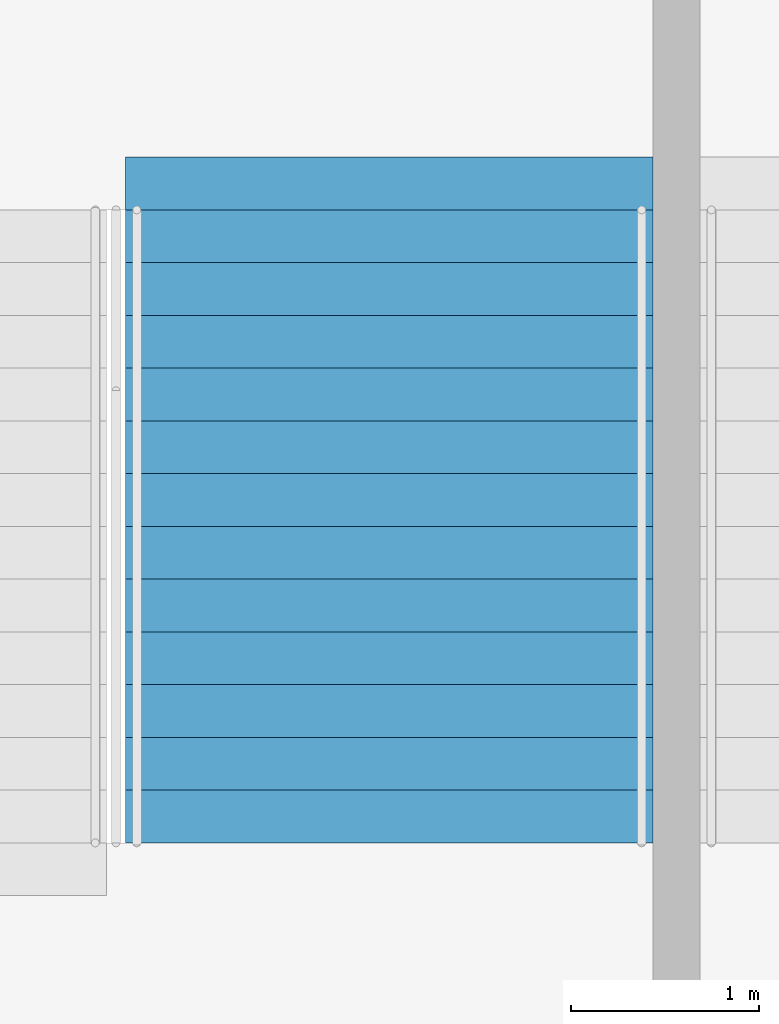
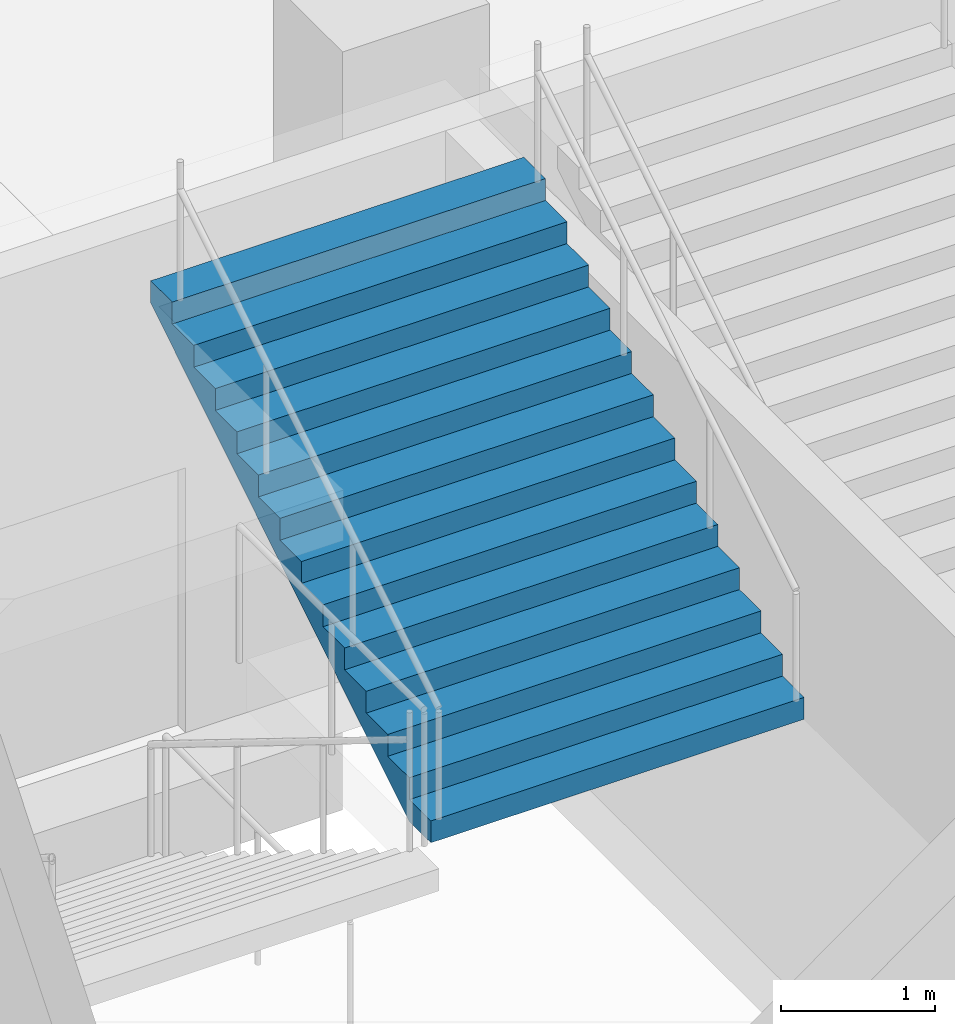
# One storey, part 122 of 199: 1 stair flight, 1 element without a shape of its own.
"""IFC4 building model written with IfcOpenShell, lengths in metres."""

from ifc_helpers import new_model, si_unit, direction, frame, origin, place, context, subcontext, project, spatial, faceted_brep, material, type_object, element, aggregate, save


model = new_model("IFC4")

# Units and contexts
model_context = context("Model", 3, precision=1e-05, world=origin(), true_north=direction((0.0, 1.0)))
body_context = subcontext(model_context, "Body", "Model", "MODEL_VIEW")
ifc_project = project(units=[si_unit("LENGTHUNIT", "METRE"), si_unit("AREAUNIT", "SQUARE_METRE"), si_unit("VOLUMEUNIT", "CUBIC_METRE"), si_unit("PLANEANGLEUNIT", "RADIAN"), si_unit("MASSUNIT", "GRAM", prefix="KILO")], contexts=[model_context])

# Site, building, storey
site_placement = place(None, origin())
site = spatial("IfcSite", under=ifc_project, at=site_placement, CompositionType="ELEMENT")
building_placement = place(site_placement, origin())
building = spatial("IfcBuilding", under=site, at=building_placement, Name="Ogive Plaza Stadium", CompositionType="ELEMENT")
storey_placement = place(building_placement, frame((0.0, 0.0, 9.0)))
storey = spatial("IfcBuildingStorey", under=building, at=storey_placement, Name="L02", CompositionType="ELEMENT", Elevation=9.0)

# Stair, stair flight
ifc_material_1 = material(Name="Concrete C40/50", Category="concrete")
stair_type = type_object("IfcStairType", Name="Exit stair", PredefinedType="STRAIGHT_RUN_STAIR", material=ifc_material_1)
stair_placement = place(storey_placement, origin())
stair = element("IfcStair", 1, at=stair_placement, inside=storey, type_object=stair_type, Name="Exit stair ST12A L02 to L03", PredefinedType="STRAIGHT_RUN_STAIR")
ifc_material_2 = material(Name="Concrete C40/50", Category="concrete")
stair_flight_type = type_object("IfcStairFlightType", Name="Exit stair flight", PredefinedType="STRAIGHT", material=ifc_material_2)
stair_flight_placement = place(storey_placement, frame((32.47509765625, -98.2099609375, 2.25), z_axis=(0.0, 0.0, 1.0), x_axis=(0.0, 1.0, 0.0)))
stair_flight = element("IfcStairFlight", 2, at=stair_flight_placement, type_object=stair_flight_type, Name="ST12A flight 2", NumberOfRisers=13, NumberOfTreads=12, PredefinedType="STRAIGHT", RiserHeight=0.173076923, TreadLength=0.28, context=body_context, shape_type="Brep", body=[
    faceted_brep([(0.28515625, -1.39990234375, 0.0), (3.639892578125, -1.39990234375, 2.07373046875), (3.639892578125, -1.39990234375, 2.25), (3.360107421875, -1.39990234375, 2.25), (3.360107421875, -1.39990234375, 2.076904296875), (3.080078125, -1.39990234375, 2.076904296875), (3.080078125, -1.39990234375, 1.90380859375), (2.800048828125, -1.39990234375, 1.90380859375), (2.800048828125, -1.39990234375, 1.730712890625), (2.52001953125, -1.39990234375, 1.730712890625), (2.52001953125, -1.39990234375, 1.5576171875), (2.239990234375, -1.39990234375, 1.5576171875), (2.239990234375, -1.39990234375, 1.384521484375), (1.9599609375, -1.39990234375, 1.384521484375), (1.9599609375, -1.39990234375, 1.21142578125), (1.679931640625, -1.39990234375, 1.21142578125), (1.679931640625, -1.39990234375, 1.03857421875), (1.39990234375, -1.39990234375, 1.03857421875), (1.39990234375, -1.39990234375, 0.865478515625), (1.1201171875, -1.39990234375, 0.865478515625), (1.1201171875, -1.39990234375, 0.6923828125), (0.840087890625, -1.39990234375, 0.6923828125), (0.840087890625, -1.39990234375, 0.519287109375), (0.56005859375, -1.39990234375, 0.519287109375), (0.56005859375, -1.39990234375, 0.34619140625), (0.280029296875, -1.39990234375, 0.34619140625), (0.280029296875, -1.39990234375, 0.173095703125), (0.0, -1.39990234375, 0.173095703125), (0.0, -1.39990234375, 0.0), (0.0, 1.39990234375, 0.0), (0.0, 1.39990234375, 0.173095703125), (0.280029296875, 1.39990234375, 0.173095703125), (0.280029296875, 1.39990234375, 0.34619140625), (0.56005859375, 1.39990234375, 0.34619140625), (0.56005859375, 1.39990234375, 0.519287109375), (0.840087890625, 1.39990234375, 0.519287109375), (0.840087890625, 1.39990234375, 0.6923828125), (1.1201171875, 1.39990234375, 0.6923828125), (1.1201171875, 1.39990234375, 0.865478515625), (1.39990234375, 1.39990234375, 0.865478515625), (1.39990234375, 1.39990234375, 1.03857421875), (1.679931640625, 1.39990234375, 1.03857421875), (1.679931640625, 1.39990234375, 1.21142578125), (1.9599609375, 1.39990234375, 1.21142578125), (1.9599609375, 1.39990234375, 1.384521484375), (2.239990234375, 1.39990234375, 1.384521484375), (2.239990234375, 1.39990234375, 1.5576171875), (2.52001953125, 1.39990234375, 1.5576171875), (2.52001953125, 1.39990234375, 1.730712890625), (2.800048828125, 1.39990234375, 1.730712890625), (2.800048828125, 1.39990234375, 1.90380859375), (3.080078125, 1.39990234375, 1.90380859375), (3.080078125, 1.39990234375, 2.076904296875), (3.360107421875, 1.39990234375, 2.076904296875), (3.360107421875, 1.39990234375, 2.25), (3.639892578125, 1.39990234375, 2.25), (3.639892578125, 1.39990234375, 2.07373046875), (0.28515625, 1.39990234375, 0.0), (0.28515625, -1.0888671875, 0.0), (3.639892578125, -1.0888671875, 2.07373046875), (0.28515625, -0.77783203125, 0.0), (3.639892578125, -0.77783203125, 2.07373046875), (0.28515625, -0.466796875, 0.0), (3.639892578125, -0.466796875, 2.07373046875), (0.28515625, -0.155517578125, 0.0), (3.639892578125, -0.155517578125, 2.07373046875), (0.28515625, 0.155517578125, 0.0), (3.639892578125, 0.155517578125, 2.07373046875), (0.28515625, 0.466796875, 0.0), (3.639892578125, 0.466796875, 2.07373046875), (0.28515625, 0.77783203125, 0.0), (3.639892578125, 0.77783203125, 2.07373046875), (0.28515625, 1.0888671875, 0.0), (3.639892578125, 1.0888671875, 2.07373046875), (3.639892578125, -1.0888671875, 2.25), (3.639892578125, -0.77783203125, 2.25), (3.639892578125, -0.466796875, 2.25), (3.639892578125, -0.155517578125, 2.25), (3.639892578125, 0.155517578125, 2.25), (3.639892578125, 0.466796875, 2.25), (3.639892578125, 0.77783203125, 2.25), (3.639892578125, 1.0888671875, 2.25), (3.360107421875, -1.0888671875, 2.25), (3.360107421875, -0.77783203125, 2.25), (3.360107421875, -0.466796875, 2.25), (3.360107421875, -0.155517578125, 2.25), (3.360107421875, 0.155517578125, 2.25), (3.360107421875, 0.466796875, 2.25), (3.360107421875, 0.77783203125, 2.25), (3.360107421875, 1.0888671875, 2.25), (3.360107421875, -1.0888671875, 2.076904296875), (3.360107421875, -0.77783203125, 2.076904296875), (3.360107421875, -0.466796875, 2.076904296875), (3.360107421875, -0.155517578125, 2.076904296875), (3.360107421875, 0.155517578125, 2.076904296875), (3.360107421875, 0.466796875, 2.076904296875), (3.360107421875, 0.77783203125, 2.076904296875), (3.360107421875, 1.0888671875, 2.076904296875), (3.080078125, -1.0888671875, 2.076904296875), (3.080078125, -0.77783203125, 2.076904296875), (3.080078125, -0.466796875, 2.076904296875), (3.080078125, -0.155517578125, 2.076904296875), (3.080078125, 0.155517578125, 2.076904296875), (3.080078125, 0.466796875, 2.076904296875), (3.080078125, 0.77783203125, 2.076904296875), (3.080078125, 1.0888671875, 2.076904296875), (3.080078125, -1.0888671875, 1.90380859375), (3.080078125, -0.77783203125, 1.90380859375), (3.080078125, -0.466796875, 1.90380859375), (3.080078125, -0.155517578125, 1.90380859375), (3.080078125, 0.155517578125, 1.90380859375), (3.080078125, 0.466796875, 1.90380859375), (3.080078125, 0.77783203125, 1.90380859375), (3.080078125, 1.0888671875, 1.90380859375), (2.800048828125, -1.0888671875, 1.90380859375), (2.800048828125, -0.77783203125, 1.90380859375), (2.800048828125, -0.466796875, 1.90380859375), (2.800048828125, -0.155517578125, 1.90380859375), (2.800048828125, 0.155517578125, 1.90380859375), (2.800048828125, 0.466796875, 1.90380859375), (2.800048828125, 0.77783203125, 1.90380859375), (2.800048828125, 1.0888671875, 1.90380859375), (2.800048828125, -1.0888671875, 1.730712890625), (2.800048828125, -0.77783203125, 1.730712890625), (2.800048828125, -0.466796875, 1.730712890625), (2.800048828125, -0.155517578125, 1.730712890625), (2.800048828125, 0.155517578125, 1.730712890625), (2.800048828125, 0.466796875, 1.730712890625), (2.800048828125, 0.77783203125, 1.730712890625), (2.800048828125, 1.0888671875, 1.730712890625), (2.52001953125, -1.0888671875, 1.730712890625), (2.52001953125, -0.77783203125, 1.730712890625), (2.52001953125, -0.466796875, 1.730712890625), (2.52001953125, -0.155517578125, 1.730712890625), (2.52001953125, 0.155517578125, 1.730712890625), (2.52001953125, 0.466796875, 1.730712890625), (2.52001953125, 0.77783203125, 1.730712890625), (2.52001953125, 1.0888671875, 1.730712890625), (2.52001953125, -1.0888671875, 1.5576171875), (2.52001953125, -0.77783203125, 1.5576171875), (2.52001953125, -0.466796875, 1.5576171875), (2.52001953125, -0.155517578125, 1.5576171875), (2.52001953125, 0.155517578125, 1.5576171875), (2.52001953125, 0.466796875, 1.5576171875), (2.52001953125, 0.77783203125, 1.5576171875), (2.52001953125, 1.0888671875, 1.5576171875), (2.239990234375, -1.0888671875, 1.5576171875), (2.239990234375, -0.77783203125, 1.5576171875), (2.239990234375, -0.466796875, 1.5576171875), (2.239990234375, -0.155517578125, 1.5576171875), (2.239990234375, 0.155517578125, 1.5576171875), (2.239990234375, 0.466796875, 1.5576171875), (2.239990234375, 0.77783203125, 1.5576171875), (2.239990234375, 1.0888671875, 1.5576171875), (2.239990234375, -1.0888671875, 1.384521484375), (2.239990234375, -0.77783203125, 1.384521484375), (2.239990234375, -0.466796875, 1.384521484375), (2.239990234375, -0.155517578125, 1.384521484375), (2.239990234375, 0.155517578125, 1.384521484375), (2.239990234375, 0.466796875, 1.384521484375), (2.239990234375, 0.77783203125, 1.384521484375), (2.239990234375, 1.0888671875, 1.384521484375), (1.9599609375, -1.0888671875, 1.384521484375), (1.9599609375, -0.77783203125, 1.384521484375), (1.9599609375, -0.466796875, 1.384521484375), (1.9599609375, -0.155517578125, 1.384521484375), (1.9599609375, 0.155517578125, 1.384521484375), (1.9599609375, 0.466796875, 1.384521484375), (1.9599609375, 0.77783203125, 1.384521484375), (1.9599609375, 1.0888671875, 1.384521484375), (1.9599609375, -1.0888671875, 1.21142578125), (1.9599609375, -0.77783203125, 1.21142578125), (1.9599609375, -0.466796875, 1.21142578125), (1.9599609375, -0.155517578125, 1.21142578125), (1.9599609375, 0.155517578125, 1.21142578125), (1.9599609375, 0.466796875, 1.21142578125), (1.9599609375, 0.77783203125, 1.21142578125), (1.9599609375, 1.0888671875, 1.21142578125), (1.679931640625, -1.0888671875, 1.21142578125), (1.679931640625, -0.77783203125, 1.21142578125), (1.679931640625, -0.466796875, 1.21142578125), (1.679931640625, -0.155517578125, 1.21142578125), (1.679931640625, 0.155517578125, 1.21142578125), (1.679931640625, 0.466796875, 1.21142578125), (1.679931640625, 0.77783203125, 1.21142578125), (1.679931640625, 1.0888671875, 1.21142578125), (1.679931640625, -1.0888671875, 1.03857421875), (1.679931640625, -0.77783203125, 1.03857421875), (1.679931640625, -0.466796875, 1.03857421875), (1.679931640625, -0.155517578125, 1.03857421875), (1.679931640625, 0.155517578125, 1.03857421875), (1.679931640625, 0.466796875, 1.03857421875), (1.679931640625, 0.77783203125, 1.03857421875), (1.679931640625, 1.0888671875, 1.03857421875), (1.39990234375, -1.0888671875, 1.03857421875), (1.39990234375, -0.77783203125, 1.03857421875), (1.39990234375, -0.466796875, 1.03857421875), (1.39990234375, -0.155517578125, 1.03857421875), (1.39990234375, 0.155517578125, 1.03857421875), (1.39990234375, 0.466796875, 1.03857421875), (1.39990234375, 0.77783203125, 1.03857421875), (1.39990234375, 1.0888671875, 1.03857421875), (1.39990234375, -1.0888671875, 0.865478515625), (1.39990234375, -0.77783203125, 0.865478515625), (1.39990234375, -0.466796875, 0.865478515625), (1.39990234375, -0.155517578125, 0.865478515625), (1.39990234375, 0.155517578125, 0.865478515625), (1.39990234375, 0.466796875, 0.865478515625), (1.39990234375, 0.77783203125, 0.865478515625), (1.39990234375, 1.0888671875, 0.865478515625), (1.1201171875, -1.0888671875, 0.865478515625), (1.1201171875, -0.77783203125, 0.865478515625), (1.1201171875, -0.466796875, 0.865478515625), (1.1201171875, -0.155517578125, 0.865478515625), (1.1201171875, 0.155517578125, 0.865478515625), (1.1201171875, 0.466796875, 0.865478515625), (1.1201171875, 0.77783203125, 0.865478515625), (1.1201171875, 1.0888671875, 0.865478515625), (1.1201171875, -1.0888671875, 0.6923828125), (1.1201171875, -0.77783203125, 0.6923828125), (1.1201171875, -0.466796875, 0.6923828125), (1.1201171875, -0.155517578125, 0.6923828125), (1.1201171875, 0.155517578125, 0.6923828125), (1.1201171875, 0.466796875, 0.6923828125), (1.1201171875, 0.77783203125, 0.6923828125), (1.1201171875, 1.0888671875, 0.6923828125), (0.840087890625, -1.0888671875, 0.6923828125), (0.840087890625, -0.77783203125, 0.6923828125), (0.840087890625, -0.466796875, 0.6923828125), (0.840087890625, -0.155517578125, 0.6923828125), (0.840087890625, 0.155517578125, 0.6923828125), (0.840087890625, 0.466796875, 0.6923828125), (0.840087890625, 0.77783203125, 0.6923828125), (0.840087890625, 1.0888671875, 0.6923828125), (0.840087890625, -1.0888671875, 0.519287109375), (0.840087890625, -0.77783203125, 0.519287109375), (0.840087890625, -0.466796875, 0.519287109375), (0.840087890625, -0.155517578125, 0.519287109375), (0.840087890625, 0.155517578125, 0.519287109375), (0.840087890625, 0.466796875, 0.519287109375), (0.840087890625, 0.77783203125, 0.519287109375), (0.840087890625, 1.0888671875, 0.519287109375), (0.56005859375, -1.0888671875, 0.519287109375), (0.56005859375, -0.77783203125, 0.519287109375), (0.56005859375, -0.466796875, 0.519287109375), (0.56005859375, -0.155517578125, 0.519287109375), (0.56005859375, 0.155517578125, 0.519287109375), (0.56005859375, 0.466796875, 0.519287109375), (0.56005859375, 0.77783203125, 0.519287109375), (0.56005859375, 1.0888671875, 0.519287109375), (0.56005859375, -1.0888671875, 0.34619140625), (0.56005859375, -0.77783203125, 0.34619140625), (0.56005859375, -0.466796875, 0.34619140625), (0.56005859375, -0.155517578125, 0.34619140625), (0.56005859375, 0.155517578125, 0.34619140625), (0.56005859375, 0.466796875, 0.34619140625), (0.56005859375, 0.77783203125, 0.34619140625), (0.56005859375, 1.0888671875, 0.34619140625), (0.280029296875, -1.0888671875, 0.34619140625), (0.280029296875, -0.77783203125, 0.34619140625), (0.280029296875, -0.466796875, 0.34619140625), (0.280029296875, -0.155517578125, 0.34619140625), (0.280029296875, 0.155517578125, 0.34619140625), (0.280029296875, 0.466796875, 0.34619140625), (0.280029296875, 0.77783203125, 0.34619140625), (0.280029296875, 1.0888671875, 0.34619140625), (0.280029296875, -1.0888671875, 0.173095703125), (0.280029296875, -0.77783203125, 0.173095703125), (0.280029296875, -0.466796875, 0.173095703125), (0.280029296875, -0.155517578125, 0.173095703125), (0.280029296875, 0.155517578125, 0.173095703125), (0.280029296875, 0.466796875, 0.173095703125), (0.280029296875, 0.77783203125, 0.173095703125), (0.280029296875, 1.0888671875, 0.173095703125), (0.0, -1.0888671875, 0.173095703125), (0.0, -0.77783203125, 0.173095703125), (0.0, -0.466796875, 0.173095703125), (0.0, -0.155517578125, 0.173095703125), (0.0, 0.155517578125, 0.173095703125), (0.0, 0.466796875, 0.173095703125), (0.0, 0.77783203125, 0.173095703125), (0.0, 1.0888671875, 0.173095703125), (0.0, -1.0888671875, 0.0), (0.0, -0.77783203125, 0.0), (0.0, -0.466796875, 0.0), (0.0, -0.155517578125, 0.0), (0.0, 0.155517578125, 0.0), (0.0, 0.466796875, 0.0), (0.0, 0.77783203125, 0.0), (0.0, 1.0888671875, 0.0)], [[[0, 1, 2, 3, 4, 5, 6, 7, 8, 9, 10, 11, 12, 13, 14, 15, 16, 17, 18, 19, 20, 21, 22, 23, 24, 25, 26, 27, 28]], [[29, 30, 31, 32, 33, 34, 35, 36, 37, 38, 39, 40, 41, 42, 43, 44, 45, 46, 47, 48, 49, 50, 51, 52, 53, 54, 55, 56, 57]], [[0, 58, 59, 1]], [[58, 60, 61, 59]], [[60, 62, 63, 61]], [[62, 64, 65, 63]], [[64, 66, 67, 65]], [[66, 68, 69, 67]], [[68, 70, 71, 69]], [[70, 72, 73, 71]], [[72, 57, 56, 73]], [[1, 59, 74, 2]], [[59, 61, 75, 74]], [[61, 63, 76, 75]], [[63, 65, 77, 76]], [[65, 67, 78, 77]], [[67, 69, 79, 78]], [[69, 71, 80, 79]], [[71, 73, 81, 80]], [[73, 56, 55, 81]], [[2, 74, 82, 3]], [[74, 75, 83, 82]], [[75, 76, 84, 83]], [[76, 77, 85, 84]], [[77, 78, 86, 85]], [[78, 79, 87, 86]], [[79, 80, 88, 87]], [[80, 81, 89, 88]], [[81, 55, 54, 89]], [[3, 82, 90, 4]], [[82, 83, 91, 90]], [[83, 84, 92, 91]], [[84, 85, 93, 92]], [[85, 86, 94, 93]], [[86, 87, 95, 94]], [[87, 88, 96, 95]], [[88, 89, 97, 96]], [[89, 54, 53, 97]], [[4, 90, 98, 5]], [[90, 91, 99, 98]], [[91, 92, 100, 99]], [[92, 93, 101, 100]], [[93, 94, 102, 101]], [[94, 95, 103, 102]], [[95, 96, 104, 103]], [[96, 97, 105, 104]], [[97, 53, 52, 105]], [[5, 98, 106, 6]], [[98, 99, 107, 106]], [[99, 100, 108, 107]], [[100, 101, 109, 108]], [[101, 102, 110, 109]], [[102, 103, 111, 110]], [[103, 104, 112, 111]], [[104, 105, 113, 112]], [[105, 52, 51, 113]], [[6, 106, 114, 7]], [[106, 107, 115, 114]], [[107, 108, 116, 115]], [[108, 109, 117, 116]], [[109, 110, 118, 117]], [[110, 111, 119, 118]], [[111, 112, 120, 119]], [[112, 113, 121, 120]], [[113, 51, 50, 121]], [[7, 114, 122, 8]], [[114, 115, 123, 122]], [[115, 116, 124, 123]], [[116, 117, 125, 124]], [[117, 118, 126, 125]], [[118, 119, 127, 126]], [[119, 120, 128, 127]], [[120, 121, 129, 128]], [[121, 50, 49, 129]], [[8, 122, 130, 9]], [[122, 123, 131, 130]], [[123, 124, 132, 131]], [[124, 125, 133, 132]], [[125, 126, 134, 133]], [[126, 127, 135, 134]], [[127, 128, 136, 135]], [[128, 129, 137, 136]], [[129, 49, 48, 137]], [[9, 130, 138, 10]], [[130, 131, 139, 138]], [[131, 132, 140, 139]], [[132, 133, 141, 140]], [[133, 134, 142, 141]], [[134, 135, 143, 142]], [[135, 136, 144, 143]], [[136, 137, 145, 144]], [[137, 48, 47, 145]], [[10, 138, 146, 11]], [[138, 139, 147, 146]], [[139, 140, 148, 147]], [[140, 141, 149, 148]], [[141, 142, 150, 149]], [[142, 143, 151, 150]], [[143, 144, 152, 151]], [[144, 145, 153, 152]], [[145, 47, 46, 153]], [[11, 146, 154, 12]], [[146, 147, 155, 154]], [[147, 148, 156, 155]], [[148, 149, 157, 156]], [[149, 150, 158, 157]], [[150, 151, 159, 158]], [[151, 152, 160, 159]], [[152, 153, 161, 160]], [[153, 46, 45, 161]], [[12, 154, 162, 13]], [[154, 155, 163, 162]], [[155, 156, 164, 163]], [[156, 157, 165, 164]], [[157, 158, 166, 165]], [[158, 159, 167, 166]], [[159, 160, 168, 167]], [[160, 161, 169, 168]], [[161, 45, 44, 169]], [[13, 162, 170, 14]], [[162, 163, 171, 170]], [[163, 164, 172, 171]], [[164, 165, 173, 172]], [[165, 166, 174, 173]], [[166, 167, 175, 174]], [[167, 168, 176, 175]], [[168, 169, 177, 176]], [[169, 44, 43, 177]], [[14, 170, 178, 15]], [[170, 171, 179, 178]], [[171, 172, 180, 179]], [[172, 173, 181, 180]], [[173, 174, 182, 181]], [[174, 175, 183, 182]], [[175, 176, 184, 183]], [[176, 177, 185, 184]], [[177, 43, 42, 185]], [[15, 178, 186, 16]], [[178, 179, 187, 186]], [[179, 180, 188, 187]], [[180, 181, 189, 188]], [[181, 182, 190, 189]], [[182, 183, 191, 190]], [[183, 184, 192, 191]], [[184, 185, 193, 192]], [[185, 42, 41, 193]], [[16, 186, 194, 17]], [[186, 187, 195, 194]], [[187, 188, 196, 195]], [[188, 189, 197, 196]], [[189, 190, 198, 197]], [[190, 191, 199, 198]], [[191, 192, 200, 199]], [[192, 193, 201, 200]], [[193, 41, 40, 201]], [[17, 194, 202, 18]], [[194, 195, 203, 202]], [[195, 196, 204, 203]], [[196, 197, 205, 204]], [[197, 198, 206, 205]], [[198, 199, 207, 206]], [[199, 200, 208, 207]], [[200, 201, 209, 208]], [[201, 40, 39, 209]], [[18, 202, 210, 19]], [[202, 203, 211, 210]], [[203, 204, 212, 211]], [[204, 205, 213, 212]], [[205, 206, 214, 213]], [[206, 207, 215, 214]], [[207, 208, 216, 215]], [[208, 209, 217, 216]], [[209, 39, 38, 217]], [[19, 210, 218, 20]], [[210, 211, 219, 218]], [[211, 212, 220, 219]], [[212, 213, 221, 220]], [[213, 214, 222, 221]], [[214, 215, 223, 222]], [[215, 216, 224, 223]], [[216, 217, 225, 224]], [[217, 38, 37, 225]], [[20, 218, 226, 21]], [[218, 219, 227, 226]], [[219, 220, 228, 227]], [[220, 221, 229, 228]], [[221, 222, 230, 229]], [[222, 223, 231, 230]], [[223, 224, 232, 231]], [[224, 225, 233, 232]], [[225, 37, 36, 233]], [[21, 226, 234, 22]], [[226, 227, 235, 234]], [[227, 228, 236, 235]], [[228, 229, 237, 236]], [[229, 230, 238, 237]], [[230, 231, 239, 238]], [[231, 232, 240, 239]], [[232, 233, 241, 240]], [[233, 36, 35, 241]], [[22, 234, 242, 23]], [[234, 235, 243, 242]], [[235, 236, 244, 243]], [[236, 237, 245, 244]], [[237, 238, 246, 245]], [[238, 239, 247, 246]], [[239, 240, 248, 247]], [[240, 241, 249, 248]], [[241, 35, 34, 249]], [[23, 242, 250, 24]], [[242, 243, 251, 250]], [[243, 244, 252, 251]], [[244, 245, 253, 252]], [[245, 246, 254, 253]], [[246, 247, 255, 254]], [[247, 248, 256, 255]], [[248, 249, 257, 256]], [[249, 34, 33, 257]], [[24, 250, 258, 25]], [[250, 251, 259, 258]], [[251, 252, 260, 259]], [[252, 253, 261, 260]], [[253, 254, 262, 261]], [[254, 255, 263, 262]], [[255, 256, 264, 263]], [[256, 257, 265, 264]], [[257, 33, 32, 265]], [[25, 258, 266, 26]], [[258, 259, 267, 266]], [[259, 260, 268, 267]], [[260, 261, 269, 268]], [[261, 262, 270, 269]], [[262, 263, 271, 270]], [[263, 264, 272, 271]], [[264, 265, 273, 272]], [[265, 32, 31, 273]], [[26, 266, 274, 27]], [[266, 267, 275, 274]], [[267, 268, 276, 275]], [[268, 269, 277, 276]], [[269, 270, 278, 277]], [[270, 271, 279, 278]], [[271, 272, 280, 279]], [[272, 273, 281, 280]], [[273, 31, 30, 281]], [[27, 274, 282, 28]], [[274, 275, 283, 282]], [[275, 276, 284, 283]], [[276, 277, 285, 284]], [[277, 278, 286, 285]], [[278, 279, 287, 286]], [[279, 280, 288, 287]], [[280, 281, 289, 288]], [[281, 30, 29, 289]], [[28, 282, 58, 0]], [[282, 283, 60, 58]], [[283, 284, 62, 60]], [[284, 285, 64, 62]], [[285, 286, 66, 64]], [[286, 287, 68, 66]], [[287, 288, 70, 68]], [[288, 289, 72, 70]], [[289, 29, 57, 72]]]),
])
aggregate(stair, [stair_flight])

save(model, "model.ifc")
